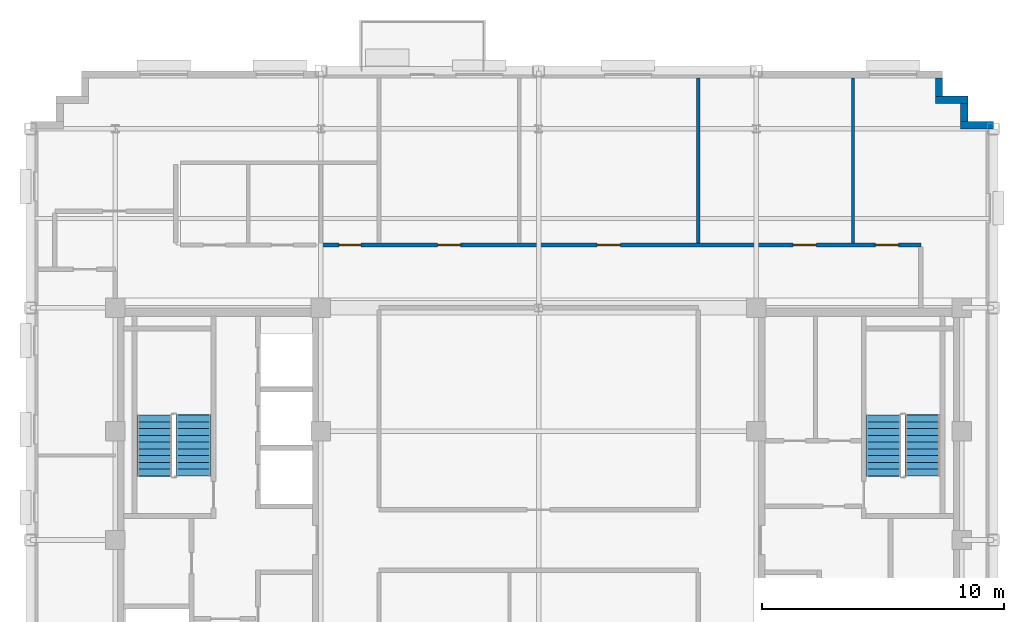
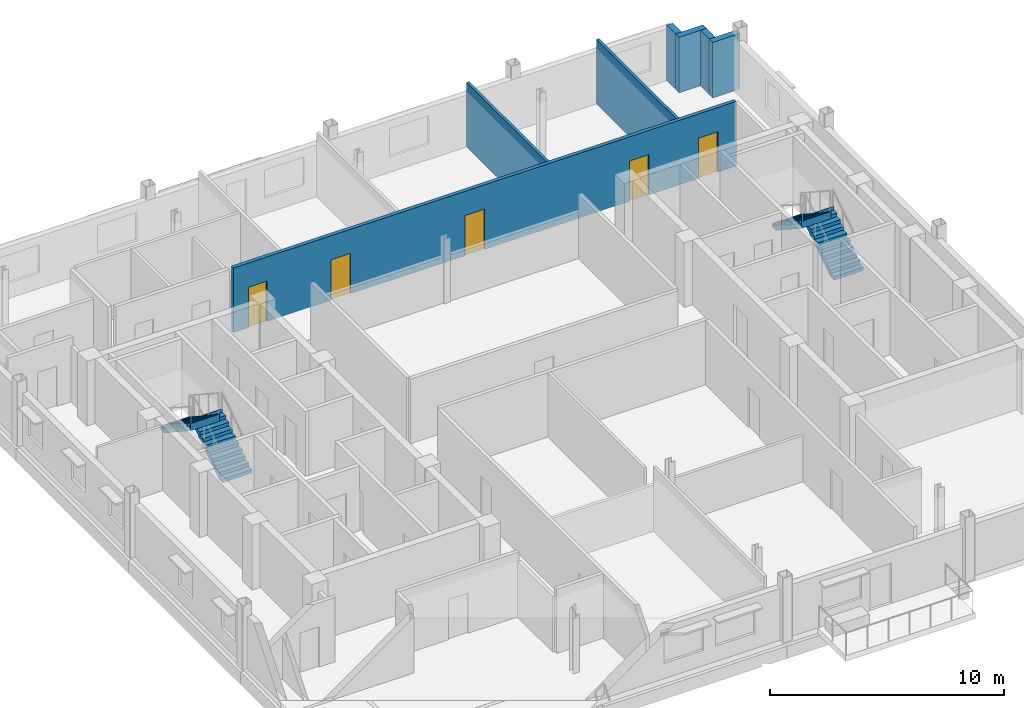
# One storey, part 9 of 13: 7 walls, 5 doors, 4 stair flights, 5 openings, 2 elements without a shape of their own.
"""IFC4 building model written with IfcOpenShell, lengths in metres."""

from ifc_helpers import new_model, si_unit, direction, frame, frame_2d, origin, place, context, subcontext, project, spatial, polyline, rectangle, outline, extrude, source, transform, mapped, material, layer, layer_set, type_object, type_shapes, element, fill, aggregate, save


model = new_model("IFC4")

# Units and contexts
model_context = context("Model", 3, precision=1e-05, world=origin(), true_north=direction((0.0, 1.0)))
body_context = subcontext(model_context, "Body", "Model", "MODEL_VIEW")
ifc_project = project(units=[si_unit("LENGTHUNIT", "METRE"), si_unit("AREAUNIT", "SQUARE_METRE"), si_unit("VOLUMEUNIT", "CUBIC_METRE"), si_unit("PLANEANGLEUNIT", "RADIAN"), si_unit("MASSUNIT", "GRAM", prefix="KILO")], contexts=[model_context])

# Site, building, storey
site_placement = place(None, origin())
site = spatial("IfcSite", under=ifc_project, at=site_placement, CompositionType="ELEMENT")
building_placement = place(site_placement, origin())
building = spatial("IfcBuilding", under=site, at=building_placement, Name="Nuvemarco Arch Tower", CompositionType="ELEMENT")
storey_placement = place(building_placement, frame((0.0, 0.0, 261.60009765625)))
storey = spatial("IfcBuildingStorey", under=building, at=storey_placement, Name="L69", CompositionType="ELEMENT", Elevation=261.60009765625)

# Walls
ifc_material_1 = material(Name="Precast concrete C45/55", Category="concrete")
ifc_layer_1 = layer(ifc_material_1, 0.300048828125, Name="EW-HIGH-300")
ifc_layer_set_1 = layer_set([ifc_layer_1], Name="Precast concrete C45/55")
wall_type_1 = type_object("IfcWallType", Name="EW-HIGH-300", PredefinedType="STANDARD", material=ifc_layer_set_1)
wall_1_placement = place(storey_placement, frame((17.449951171875, 17.14990234375, 0.0), z_axis=(0.0, 0.0, 1.0), x_axis=(1.0, 0.0, 0.0)))
element("IfcWall", 1, at=wall_1_placement, inside=storey, type_object=wall_type_1, Name="L69 exterior precast facade wall 7", PredefinedType="STANDARD", context=body_context, shape_type="SweptSolid", body=[
    extrude(rectangle(XDim=1.35009765625, YDim=0.300048828125, at=frame_2d((0.675048828125, 0.0))), origin(), (0.0, 0.0, 1.0), 2.891845703125),
])
wall_2_placement = place(storey_placement, frame((17.60009765625, 17.2958984375, 0.0), z_axis=(0.0, 0.0, 1.0), x_axis=(0.0, 1.0, 0.0)))
element("IfcWall", 2, at=wall_2_placement, inside=storey, type_object=wall_type_1, Name="L69 exterior precast facade wall 8", PredefinedType="STANDARD", context=body_context, shape_type="SweptSolid", body=[
    extrude(rectangle(XDim=0.758056640625, YDim=0.300048828125, at=frame_2d((0.37890625, 0.0))), origin(), (0.0, 0.0, 1.0), 2.891845703125),
])
wall_3_placement = place(storey_placement, frame((16.39990234375, 18.199951171875, 0.0), z_axis=(0.0, 0.0, 1.0), x_axis=(1.0, 0.0, 0.0)))
element("IfcWall", 3, at=wall_3_placement, inside=storey, type_object=wall_type_1, Name="L69 exterior precast facade wall 9", PredefinedType="STANDARD", context=body_context, shape_type="SweptSolid", body=[
    extrude(rectangle(XDim=1.35009765625, YDim=0.300048828125, at=frame_2d((0.675048828125, 0.0))), origin(), (0.0, 0.0, 1.0), 2.891845703125),
])
wall_4_placement = place(storey_placement, frame((16.550048828125, 18.345947265625, 0.0), z_axis=(0.0, 0.0, 1.0), x_axis=(0.0, 1.0, 0.0)))
element("IfcWall", 4, at=wall_4_placement, inside=storey, type_object=wall_type_1, Name="L69 exterior precast facade wall 10", PredefinedType="STANDARD", context=body_context, shape_type="SweptSolid", body=[
    extrude(rectangle(XDim=0.758056640625, YDim=0.300048828125, at=frame_2d((0.37890625, 0.0))), origin(), (0.0, 0.0, 1.0), 2.891845703125),
])

# Wall, openings, doors
ifc_material_2 = material(Name="Fire-rated gypsum drywall partition")
ifc_layer_2 = layer(ifc_material_2, 0.179931640625, Name="WL-CORR-180")
ifc_layer_set_2 = layer_set([ifc_layer_2], Name="Fire-rated gypsum drywall partition")
wall_type_2 = type_object("IfcWallType", Name="WL-CORR-180", PredefinedType="PARTITIONING", material=ifc_layer_set_2)
wall_5_placement = place(storey_placement, frame((-9.0, 12.199951171875, 0.0), z_axis=(0.0, 0.0, 1.0), x_axis=(1.0, 0.0, 0.0)))
wall_5 = element("IfcWall", 5, at=wall_5_placement, inside=storey, type_object=wall_type_2, Name="L69 interior wall IW-L69-015", PredefinedType="PARTITIONING", context=body_context, shape_type="SweptSolid", body=[
    extrude(rectangle(XDim=24.800048828125, YDim=0.179931640625, at=frame_2d((12.39990234375, 0.0))), origin(), (0.0, 0.0, 1.0), 3.35986328125),
])
opening_1_placement = place(wall_5_placement, frame((11.419921875, 0.0, 0.0)))
opening_1 = element("IfcOpeningElement", 6, at=opening_1_placement, cuts=wall_5, Name="Opening FD-5", PredefinedType="OPENING", context=body_context, shape_type="SweptSolid", body=[
    extrude(rectangle(XDim=0.9599609375, YDim=2.10009765625, at=frame_2d((0.47998046875, 1.050048828125))), frame((0.0, 0.099853515625, 0.0), z_axis=(0.0, -1.0, 0.0), x_axis=(1.0, 0.0, 0.0)), (0.0, 0.0, 1.0), 0.199951171875),
])
opening_2_placement = place(wall_5_placement, frame((4.820068359375, 0.0, 0.0)))
opening_2 = element("IfcOpeningElement", 7, at=opening_2_placement, cuts=wall_5, Name="Opening FD-5", PredefinedType="OPENING", context=body_context, shape_type="SweptSolid", body=[
    extrude(rectangle(XDim=0.9599609375, YDim=2.10009765625, at=frame_2d((0.47998046875, 1.050048828125))), frame((0.0, 0.099853515625, 0.0), z_axis=(0.0, -1.0, 0.0), x_axis=(1.0, 0.0, 0.0)), (0.0, 0.0, 1.0), 0.199951171875),
])
opening_3_placement = place(wall_5_placement, frame((19.52001953125, 0.0, 0.0)))
opening_3 = element("IfcOpeningElement", 8, at=opening_3_placement, cuts=wall_5, Name="Opening FD-5", PredefinedType="OPENING", context=body_context, shape_type="SweptSolid", body=[
    extrude(rectangle(XDim=0.9599609375, YDim=2.10009765625, at=frame_2d((0.47998046875, 1.050048828125))), frame((0.0, 0.099853515625, 0.0), z_axis=(0.0, -1.0, 0.0), x_axis=(1.0, 0.0, 0.0)), (0.0, 0.0, 1.0), 0.199951171875),
])
opening_4_placement = place(wall_5_placement, frame((22.919921875, 0.0, 0.0)))
opening_4 = element("IfcOpeningElement", 9, at=opening_4_placement, cuts=wall_5, Name="Opening FD-5", PredefinedType="OPENING", context=body_context, shape_type="SweptSolid", body=[
    extrude(rectangle(XDim=0.9599609375, YDim=2.10009765625, at=frame_2d((0.47998046875, 1.050048828125))), frame((0.0, 0.099853515625, 0.0), z_axis=(0.0, -1.0, 0.0), x_axis=(1.0, 0.0, 0.0)), (0.0, 0.0, 1.0), 0.199951171875),
])
opening_5_placement = place(wall_5_placement, frame((0.75, 0.0, 0.0)))
opening_5 = element("IfcOpeningElement", 10, at=opening_5_placement, cuts=wall_5, Name="Opening ID-3", PredefinedType="OPENING", context=body_context, shape_type="SweptSolid", body=[
    extrude(rectangle(XDim=0.89990234375, YDim=2.10009765625, at=frame_2d((0.449951171875, 1.050048828125))), frame((0.0, 0.099853515625, 0.0), z_axis=(0.0, -1.0, 0.0), x_axis=(1.0, 0.0, 0.0)), (0.0, 0.0, 1.0), 0.199951171875),
])
ifc_material_3 = material(Name="Timber fire door", Category="wood")
door_type_1 = type_object("IfcDoorType", Name="DR-CORR-FD", OperationType="NOTDEFINED", PredefinedType="DOOR", material=ifc_material_3)
shared_shape_1 = source(origin(), body_context, "Body", "SweptSolid", [
    extrude(rectangle(XDim=0.9599609375, YDim=2.10009765625, at=frame_2d((0.47998046875, 1.050048828125))), frame((0.0, 0.02490234375, 0.0), z_axis=(0.0, -1.0, 0.0), x_axis=(1.0, 0.0, 0.0)), (0.0, 0.0, 1.0), 0.050048828125),
])
type_shapes(door_type_1, [shared_shape_1])
door_1_placement = place(opening_1_placement, origin())
door_1 = element("IfcDoor", 11, at=door_1_placement, inside=storey, type_object=door_type_1, Name="L69 door DR-L69-N_3", OperationType="SINGLE_SWING_LEFT", OverallHeight=2.10009765625, OverallWidth=0.9599609375, PredefinedType="DOOR", context=body_context, shape_type="MappedRepresentation", body=[
    mapped(shared_shape_1, transform((0.0, 0.0, 0.0), scale=1.0)),
])
fill(opening_1, door_1)
door_2_placement = place(opening_2_placement, origin())
door_2 = element("IfcDoor", 12, at=door_2_placement, inside=storey, type_object=door_type_1, Name="L69 door DR-L69-N_2", OperationType="SINGLE_SWING_RIGHT", OverallHeight=2.10009765625, OverallWidth=0.9599609375, PredefinedType="DOOR", context=body_context, shape_type="MappedRepresentation", body=[
    mapped(shared_shape_1, transform((0.0, 0.0, 0.0), scale=1.0)),
])
fill(opening_2, door_2)
door_3_placement = place(opening_3_placement, origin())
door_3 = element("IfcDoor", 13, at=door_3_placement, inside=storey, type_object=door_type_1, Name="L69 door DR-L69-N_4", OperationType="SINGLE_SWING_LEFT", OverallHeight=2.10009765625, OverallWidth=0.9599609375, PredefinedType="DOOR", context=body_context, shape_type="MappedRepresentation", body=[
    mapped(shared_shape_1, transform((0.0, 0.0, 0.0), scale=1.0)),
])
fill(opening_3, door_3)
door_4_placement = place(opening_4_placement, origin())
door_4 = element("IfcDoor", 14, at=door_4_placement, inside=storey, type_object=door_type_1, Name="L69 door DR-L69-N_5", OperationType="SINGLE_SWING_LEFT", OverallHeight=2.10009765625, OverallWidth=0.9599609375, PredefinedType="DOOR", context=body_context, shape_type="MappedRepresentation", body=[
    mapped(shared_shape_1, transform((0.0, 0.0, 0.0), scale=1.0)),
])
fill(opening_4, door_4)
ifc_material_4 = material(Name="Veneered oak timber fire door", Category="wood")
door_type_2 = type_object("IfcDoorType", Name="DR-WC-ACC", OperationType="NOTDEFINED", PredefinedType="DOOR", material=ifc_material_4)
shared_shape_2 = source(origin(), body_context, "Body", "SweptSolid", [
    extrude(rectangle(XDim=0.89990234375, YDim=2.10009765625, at=frame_2d((0.449951171875, 1.050048828125))), frame((0.0, 0.02490234375, 0.0), z_axis=(0.0, -1.0, 0.0), x_axis=(1.0, 0.0, 0.0)), (0.0, 0.0, 1.0), 0.050048828125),
])
type_shapes(door_type_2, [shared_shape_2])
door_5_placement = place(opening_5_placement, origin())
door_5 = element("IfcDoor", 15, at=door_5_placement, inside=storey, type_object=door_type_2, Name="L69 door DR-L69-WC_ACC", OperationType="SINGLE_SWING_RIGHT", OverallHeight=2.10009765625, OverallWidth=0.89990234375, PredefinedType="DOOR", context=body_context, shape_type="MappedRepresentation", body=[
    mapped(shared_shape_2, transform((0.0, 0.0, 0.0), scale=1.0)),
])
fill(opening_5, door_5)

# Walls
ifc_material_5 = material(Name="Glazed acoustic office partition")
ifc_layer_3 = layer(ifc_material_5, 0.1298828125, Name="WL-EXEC-130")
ifc_layer_set_3 = layer_set([ifc_layer_3], Name="Glazed acoustic office partition")
wall_type_3 = type_object("IfcWallType", Name="WL-EXEC-130", PredefinedType="PARTITIONING", material=ifc_layer_set_3)
for number, where, z_axis, x_axis, name in (
    (16, (6.60009765625, 12.285888671875, 0.0), (0.0, 0.0, 1.0), (0.0, 1.0, 0.0), "L69 interior wall IW-L69-035"),
    (17, (13.0, 12.285888671875, 0.0), (0.0, 0.0, 1.0), (0.0, 1.0, 0.0), "L69 interior wall IW-L69-037"),
):
    element("IfcWall", number, at=place(storey_placement, frame(where, z_axis=z_axis, x_axis=x_axis)), inside=storey, type_object=wall_type_3, Name=name, PredefinedType="PARTITIONING", context=body_context, shape_type="SweptSolid", body=[
        extrude(rectangle(XDim=6.814208984375, YDim=0.1298828125, at=frame_2d((3.4072265625, 0.0))), origin(), (0.0, 0.0, 1.0), 3.35986328125),
    ])

# Stair, stair flights
stair_type = type_object("IfcStairType", Name="ST-CORE-20R", PredefinedType="HALF_TURN_STAIR", material=ifc_material_1)
stair_1_placement = place(storey_placement, origin())
stair_1 = element("IfcStair", 18, at=stair_1_placement, inside=storey, type_object=stair_type, Name="L69 Protected Exit Stair ST-1", PredefinedType="HALF_TURN_STAIR")
stair_flight_type = type_object("IfcStairFlightType", Name="SF-CORE-20R", PredefinedType="STRAIGHT", material=ifc_material_1)
stair_flight_1_placement = place(storey_placement, frame((-14.264892578125, 2.64990234375, 0.0), z_axis=(0.0, 0.0, 1.0), x_axis=(0.0, 1.0, 0.0)))
stair_flight_1 = element("IfcStairFlight", 19, at=stair_flight_1_placement, type_object=stair_flight_type, Name="ST-20R flight 1", NumberOfRisers=10, NumberOfTreads=9, PredefinedType="STRAIGHT", RiserHeight=0.1825, TreadLength=0.28, context=body_context, shape_type="SweptSolid", body=[
    extrude(outline(polyline([(0.0, 0.0), (0.0, 0.1826171875), (0.280029296875, 0.1826171875), (0.280029296875, 0.364990234375), (0.56005859375, 0.364990234375), (0.56005859375, 0.547607421875), (0.840087890625, 0.547607421875), (0.840087890625, 0.72998046875), (1.1201171875, 0.72998046875), (1.1201171875, 0.91259765625), (1.39990234375, 0.91259765625), (1.39990234375, 1.094970703125), (1.679931640625, 1.094970703125), (1.679931640625, 1.277587890625), (1.9599609375, 1.277587890625), (1.9599609375, 1.4599609375), (2.239990234375, 1.4599609375), (2.239990234375, 1.642578125), (2.52001953125, 1.642578125), (2.52001953125, 1.824951171875), (2.5400390625, 1.824951171875), (2.5400390625, 1.45166015625), (0.312744140625, 0.0), (0.0, 0.0)])), frame((0.0, 0.72509765625, 0.0), z_axis=(0.0, -1.0, 0.0), x_axis=(1.0, 0.0, 0.0)), (0.0, 0.0, 1.0), 1.449951171875),
])
stair_flight_2_placement = place(storey_placement, frame((-15.875, 5.169921875, 1.824951171875), z_axis=(0.0, 0.0, 1.0), x_axis=(0.0, -1.0, 0.0)))
stair_flight_2 = element("IfcStairFlight", 20, at=stair_flight_2_placement, type_object=stair_flight_type, Name="ST-20R flight 2", NumberOfRisers=10, NumberOfTreads=9, PredefinedType="STRAIGHT", RiserHeight=0.1825, TreadLength=0.28, context=body_context, shape_type="SweptSolid", body=[
    extrude(outline(polyline([(0.0, 0.0), (0.0, 0.1826171875), (0.280029296875, 0.1826171875), (0.280029296875, 0.364990234375), (0.56005859375, 0.364990234375), (0.56005859375, 0.547607421875), (0.840087890625, 0.547607421875), (0.840087890625, 0.72998046875), (1.1201171875, 0.72998046875), (1.1201171875, 0.91259765625), (1.39990234375, 0.91259765625), (1.39990234375, 1.094970703125), (1.679931640625, 1.094970703125), (1.679931640625, 1.277587890625), (1.9599609375, 1.277587890625), (1.9599609375, 1.4599609375), (2.239990234375, 1.4599609375), (2.239990234375, 1.642578125), (2.52001953125, 1.642578125), (2.52001953125, 1.824951171875), (2.5400390625, 1.824951171875), (2.5400390625, 1.45166015625), (0.312744140625, 0.0), (0.0, 0.0)])), frame((0.0, 0.72509765625, 0.0), z_axis=(0.0, -1.0, 0.0), x_axis=(1.0, 0.0, 0.0)), (0.0, 0.0, 1.0), 1.449951171875),
])
aggregate(stair_1, [stair_flight_1, stair_flight_2])

stair_2_placement = place(storey_placement, origin())
stair_2 = element("IfcStair", 21, at=stair_2_placement, inside=storey, type_object=stair_type, Name="L69 Protected Exit Stair ST-2", PredefinedType="HALF_TURN_STAIR")
stair_flight_3_placement = place(storey_placement, frame((15.875, 2.64990234375, 0.0), z_axis=(0.0, 0.0, 1.0), x_axis=(0.0, 1.0, 0.0)))
stair_flight_3 = element("IfcStairFlight", 22, at=stair_flight_3_placement, type_object=stair_flight_type, Name="ST-20R flight 1", NumberOfRisers=10, NumberOfTreads=9, PredefinedType="STRAIGHT", RiserHeight=0.1825, TreadLength=0.28, context=body_context, shape_type="SweptSolid", body=[
    extrude(outline(polyline([(0.0, 0.0), (0.0, 0.1826171875), (0.280029296875, 0.1826171875), (0.280029296875, 0.364990234375), (0.56005859375, 0.364990234375), (0.56005859375, 0.547607421875), (0.840087890625, 0.547607421875), (0.840087890625, 0.72998046875), (1.1201171875, 0.72998046875), (1.1201171875, 0.91259765625), (1.39990234375, 0.91259765625), (1.39990234375, 1.094970703125), (1.679931640625, 1.094970703125), (1.679931640625, 1.277587890625), (1.9599609375, 1.277587890625), (1.9599609375, 1.4599609375), (2.239990234375, 1.4599609375), (2.239990234375, 1.642578125), (2.52001953125, 1.642578125), (2.52001953125, 1.824951171875), (2.5400390625, 1.824951171875), (2.5400390625, 1.45166015625), (0.312744140625, 0.0), (0.0, 0.0)])), frame((0.0, 0.72509765625, 0.0), z_axis=(0.0, -1.0, 0.0), x_axis=(1.0, 0.0, 0.0)), (0.0, 0.0, 1.0), 1.449951171875),
])
stair_flight_4_placement = place(storey_placement, frame((14.264892578125, 5.169921875, 1.824951171875), z_axis=(0.0, 0.0, 1.0), x_axis=(0.0, -1.0, 0.0)))
stair_flight_4 = element("IfcStairFlight", 23, at=stair_flight_4_placement, type_object=stair_flight_type, Name="ST-20R flight 2", NumberOfRisers=10, NumberOfTreads=9, PredefinedType="STRAIGHT", RiserHeight=0.1825, TreadLength=0.28, context=body_context, shape_type="SweptSolid", body=[
    extrude(outline(polyline([(0.0, 0.0), (0.0, 0.1826171875), (0.280029296875, 0.1826171875), (0.280029296875, 0.364990234375), (0.56005859375, 0.364990234375), (0.56005859375, 0.547607421875), (0.840087890625, 0.547607421875), (0.840087890625, 0.72998046875), (1.1201171875, 0.72998046875), (1.1201171875, 0.91259765625), (1.39990234375, 0.91259765625), (1.39990234375, 1.094970703125), (1.679931640625, 1.094970703125), (1.679931640625, 1.277587890625), (1.9599609375, 1.277587890625), (1.9599609375, 1.4599609375), (2.239990234375, 1.4599609375), (2.239990234375, 1.642578125), (2.52001953125, 1.642578125), (2.52001953125, 1.824951171875), (2.5400390625, 1.824951171875), (2.5400390625, 1.45166015625), (0.312744140625, 0.0), (0.0, 0.0)])), frame((0.0, 0.72509765625, 0.0), z_axis=(0.0, -1.0, 0.0), x_axis=(1.0, 0.0, 0.0)), (0.0, 0.0, 1.0), 1.449951171875),
])
aggregate(stair_2, [stair_flight_3, stair_flight_4])

save(model, "model.ifc")
